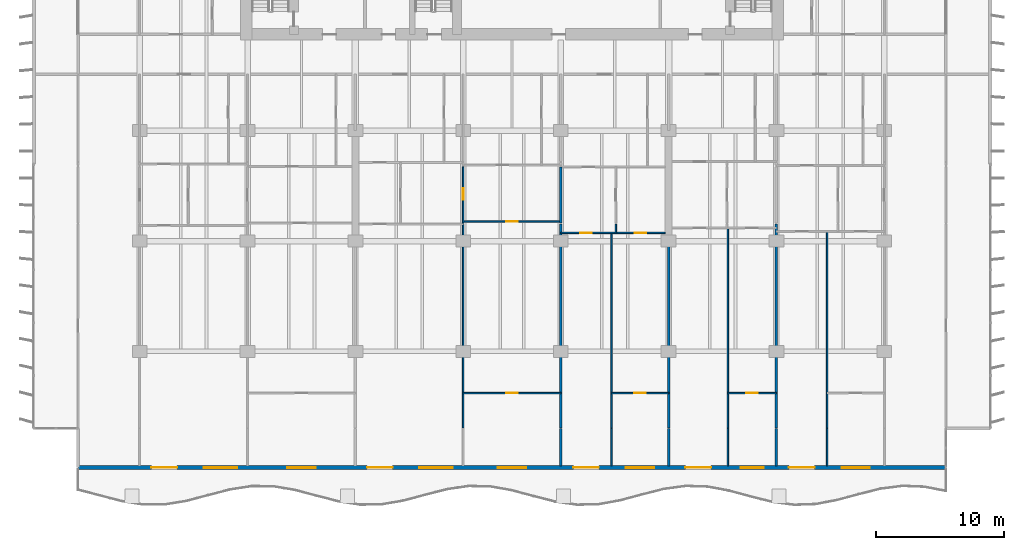
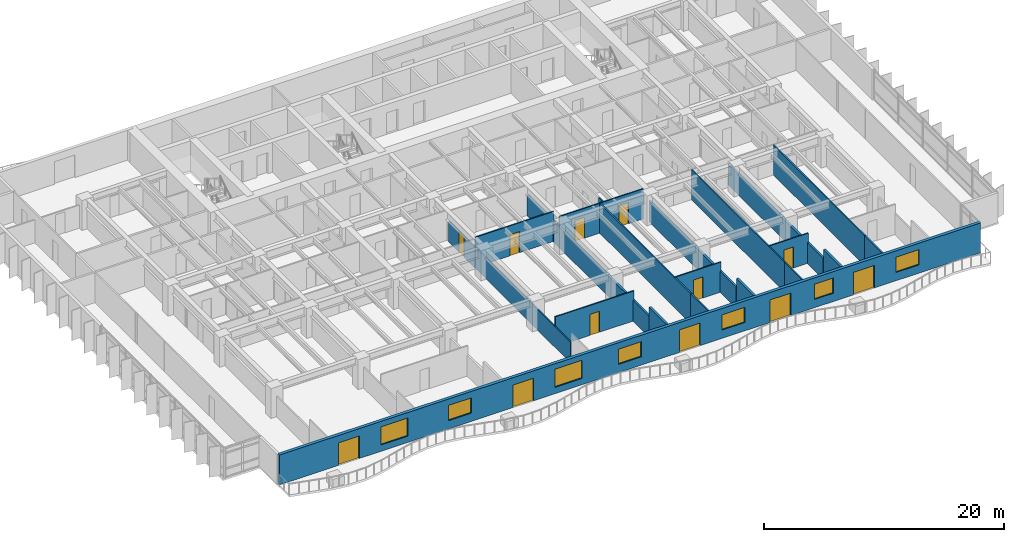
# One storey, part 8 of 17: 22 walls, 12 doors, 7 windows, 19 openings.
"""IFC4 building model written with IfcOpenShell, lengths in metres."""

from ifc_helpers import new_model, si_unit, direction, frame, frame_2d, origin, place, context, subcontext, project, spatial, rectangle, extrude, material, layer, layer_set, type_object, element, fill, save


model = new_model("IFC4")

# Units and contexts
model_context = context("Model", 3, precision=1e-05, world=origin(), true_north=direction((0.0, 1.0)))
body_context = subcontext(model_context, "Body", "Model", "MODEL_VIEW")
ifc_project = project(units=[si_unit("LENGTHUNIT", "METRE"), si_unit("AREAUNIT", "SQUARE_METRE"), si_unit("VOLUMEUNIT", "CUBIC_METRE"), si_unit("PLANEANGLEUNIT", "RADIAN"), si_unit("MASSUNIT", "GRAM", prefix="KILO")], contexts=[model_context])

# Site, building, storey
site_placement = place(None, origin())
site = spatial("IfcSite", under=ifc_project, at=site_placement, CompositionType="ELEMENT")
building_placement = place(site_placement, origin())
building = spatial("IfcBuilding", under=site, at=building_placement, Name="Caelmar Bay Residences", CompositionType="ELEMENT")
storey_placement = place(building_placement, frame((0.0, 0.0, 59.699951171875)))
storey = spatial("IfcBuildingStorey", under=building, at=storey_placement, Name="L15", CompositionType="ELEMENT", Elevation=59.699951171875)

# Wall, openings, doors, windows
ifc_material_1 = material(Name="Precast concrete f'c 40 MPa (6,000 psi)", Category="concrete")
ifc_layer_1 = layer(ifc_material_1, 0.300048828125)
ifc_layer_set_1 = layer_set([ifc_layer_1], Name="Precast concrete f'c 40 MPa (6,000 psi)")
wall_type_1 = type_object("IfcWallType", Name="W-EXT-300", PredefinedType="STANDARD", material=ifc_layer_set_1)
wall_1_placement = place(storey_placement, frame((72.699951171875, 3.14990234375, 0.0), z_axis=(0.0, 0.0, 1.0), x_axis=(-1.0, 0.0, 0.0)))
wall_1 = element("IfcWall", 1, at=wall_1_placement, inside=storey, type_object=wall_type_1, Name="L15 South Bayfront Exterior Wall", PredefinedType="STANDARD", context=body_context, shape_type="SweptSolid", body=[
    extrude(rectangle(XDim=67.599853515625, YDim=0.300048828125, at=frame_2d((33.7998046875, 0.0))), origin(), (0.0, 0.0, 1.0), 3.050048828125),
])
opening_1_placement = place(wall_1_placement, frame((59.889892578125, 0.0, 0.0)))
opening_1 = element("IfcOpeningElement", 2, at=opening_1_placement, cuts=wall_1, Name="Opening L15-BD01", PredefinedType="OPENING", context=body_context, shape_type="SweptSolid", body=[
    extrude(rectangle(XDim=2.0, YDim=2.300048828125, at=frame_2d((1.0, 1.14990234375))), frame((0.0, 0.159912109375, 0.0), z_axis=(0.0, -1.0, 0.0), x_axis=(1.0, 0.0, 0.0)), (0.0, 0.0, 1.0), 0.320068359375),
])
opening_2_placement = place(wall_1_placement, frame((55.2099609375, 0.0, 0.64990234375)))
opening_2 = element("IfcOpeningElement", 3, at=opening_2_placement, cuts=wall_1, Name="Opening WN3", PredefinedType="OPENING", context=body_context, shape_type="SweptSolid", body=[
    extrude(rectangle(XDim=2.60009765625, YDim=1.85009765625, at=frame_2d((1.300048828125, 0.925048828125))), frame((0.0, 0.159912109375, 0.0), z_axis=(0.0, -1.0, 0.0), x_axis=(1.0, 0.0, 0.0)), (0.0, 0.0, 1.0), 0.320068359375),
])
opening_3_placement = place(wall_1_placement, frame((49.10009765625, 0.0, 0.85009765625)))
opening_3 = element("IfcOpeningElement", 4, at=opening_3_placement, cuts=wall_1, Name="Opening WN2", PredefinedType="OPENING", context=body_context, shape_type="SweptSolid", body=[
    extrude(rectangle(XDim=2.199951171875, YDim=1.550048828125, at=frame_2d((1.10009765625, 0.77490234375))), frame((0.0, 0.159912109375, 0.0), z_axis=(0.0, -1.0, 0.0), x_axis=(1.0, 0.0, 0.0)), (0.0, 0.0, 1.0), 0.320068359375),
])
opening_4_placement = place(wall_1_placement, frame((43.090087890625, 0.0, 0.0)))
opening_4 = element("IfcOpeningElement", 5, at=opening_4_placement, cuts=wall_1, Name="Opening L15-BD02", PredefinedType="OPENING", context=body_context, shape_type="SweptSolid", body=[
    extrude(rectangle(XDim=2.0, YDim=2.300048828125, at=frame_2d((1.0, 1.14990234375))), frame((0.0, 0.159912109375, 0.0), z_axis=(0.0, -1.0, 0.0), x_axis=(1.0, 0.0, 0.0)), (0.0, 0.0, 1.0), 0.320068359375),
])
opening_5_placement = place(wall_1_placement, frame((38.409912109375, 0.0, 0.64990234375)))
opening_5 = element("IfcOpeningElement", 6, at=opening_5_placement, cuts=wall_1, Name="Opening WN3", PredefinedType="OPENING", context=body_context, shape_type="SweptSolid", body=[
    extrude(rectangle(XDim=2.60009765625, YDim=1.85009765625, at=frame_2d((1.300048828125, 0.925048828125))), frame((0.0, 0.159912109375, 0.0), z_axis=(0.0, -1.0, 0.0), x_axis=(1.0, 0.0, 0.0)), (0.0, 0.0, 1.0), 0.320068359375),
])
opening_6_placement = place(wall_1_placement, frame((32.699951171875, 0.0, 0.85009765625)))
opening_6 = element("IfcOpeningElement", 7, at=opening_6_placement, cuts=wall_1, Name="Opening WN2", PredefinedType="OPENING", context=body_context, shape_type="SweptSolid", body=[
    extrude(rectangle(XDim=2.199951171875, YDim=1.550048828125, at=frame_2d((1.10009765625, 0.77490234375))), frame((0.0, 0.159912109375, 0.0), z_axis=(0.0, -1.0, 0.0), x_axis=(1.0, 0.0, 0.0)), (0.0, 0.0, 1.0), 0.320068359375),
])
opening_7_placement = place(wall_1_placement, frame((27.02587890625, 0.0, 0.0)))
opening_7 = element("IfcOpeningElement", 8, at=opening_7_placement, cuts=wall_1, Name="Opening L15-BD03", PredefinedType="OPENING", context=body_context, shape_type="SweptSolid", body=[
    extrude(rectangle(XDim=2.0, YDim=2.300048828125, at=frame_2d((1.0, 1.14990234375))), frame((0.0, 0.159912109375, 0.0), z_axis=(0.0, -1.0, 0.0), x_axis=(1.0, 0.0, 0.0)), (0.0, 0.0, 1.0), 0.320068359375),
])
opening_8_placement = place(wall_1_placement, frame((22.72607421875, 0.0, 0.85009765625)))
opening_8 = element("IfcOpeningElement", 9, at=opening_8_placement, cuts=wall_1, Name="Opening WN2", PredefinedType="OPENING", context=body_context, shape_type="SweptSolid", body=[
    extrude(rectangle(XDim=2.199951171875, YDim=1.550048828125, at=frame_2d((1.10009765625, 0.77490234375))), frame((0.0, 0.159912109375, 0.0), z_axis=(0.0, -1.0, 0.0), x_axis=(1.0, 0.0, 0.0)), (0.0, 0.0, 1.0), 0.320068359375),
])
opening_9_placement = place(wall_1_placement, frame((18.2900390625, 0.0, 0.0)))
opening_9 = element("IfcOpeningElement", 10, at=opening_9_placement, cuts=wall_1, Name="Opening L15-BD04", PredefinedType="OPENING", context=body_context, shape_type="SweptSolid", body=[
    extrude(rectangle(XDim=2.0, YDim=2.300048828125, at=frame_2d((1.0, 1.14990234375))), frame((0.0, 0.159912109375, 0.0), z_axis=(0.0, -1.0, 0.0), x_axis=(1.0, 0.0, 0.0)), (0.0, 0.0, 1.0), 0.320068359375),
])
opening_10_placement = place(wall_1_placement, frame((14.18994140625, 0.0, 0.85009765625)))
opening_10 = element("IfcOpeningElement", 11, at=opening_10_placement, cuts=wall_1, Name="Opening WN1", PredefinedType="OPENING", context=body_context, shape_type="SweptSolid", body=[
    extrude(rectangle(XDim=1.800048828125, YDim=1.550048828125, at=frame_2d((0.89990234375, 0.77490234375))), frame((0.0, 0.159912109375, 0.0), z_axis=(0.0, -1.0, 0.0), x_axis=(1.0, 0.0, 0.0)), (0.0, 0.0, 1.0), 0.320068359375),
])
opening_11_placement = place(wall_1_placement, frame((10.22607421875, 0.0, 0.0)))
opening_11 = element("IfcOpeningElement", 12, at=opening_11_placement, cuts=wall_1, Name="Opening L15-BD05", PredefinedType="OPENING", context=body_context, shape_type="SweptSolid", body=[
    extrude(rectangle(XDim=2.0, YDim=2.300048828125, at=frame_2d((1.0, 1.14990234375))), frame((0.0, 0.159912109375, 0.0), z_axis=(0.0, -1.0, 0.0), x_axis=(1.0, 0.0, 0.0)), (0.0, 0.0, 1.0), 0.320068359375),
])
opening_12_placement = place(wall_1_placement, frame((5.926025390625, 0.0, 0.85009765625)))
opening_12 = element("IfcOpeningElement", 13, at=opening_12_placement, cuts=wall_1, Name="Opening WN2", PredefinedType="OPENING", context=body_context, shape_type="SweptSolid", body=[
    extrude(rectangle(XDim=2.199951171875, YDim=1.550048828125, at=frame_2d((1.10009765625, 0.77490234375))), frame((0.0, 0.159912109375, 0.0), z_axis=(0.0, -1.0, 0.0), x_axis=(1.0, 0.0, 0.0)), (0.0, 0.0, 1.0), 0.320068359375),
])
ifc_material_2 = material(Name="Anodised bronze thermally broken sliding glass door", Category="glass")
ifc_layer_2 = layer(ifc_material_2, 0.050048828125)
ifc_layer_set_2 = layer_set([ifc_layer_2], Name="Anodised bronze thermally broken sliding glass door")
door_type_1 = type_object("IfcDoorType", Name="D-BAL-2000", OperationType="DOUBLE_DOOR_SLIDING", PredefinedType="DOOR", material=ifc_layer_set_2)
door_1_placement = place(opening_1_placement, origin())
door_1 = element("IfcDoor", 14, at=door_1_placement, inside=storey, type_object=door_type_1, Name="L15 Residence 01 Penthouse Living Salon Balcony Door", OperationType="DOUBLE_DOOR_SLIDING", OverallHeight=2.300048828125, OverallWidth=2.0, PredefinedType="DOOR", context=body_context, shape_type="SweptSolid", body=[
    extrude(rectangle(XDim=2.0, YDim=2.300048828125, at=frame_2d((1.0, 1.14990234375))), frame((0.0, 0.02490234375, 0.0), z_axis=(0.0, -1.0, 0.0), x_axis=(1.0, 0.0, 0.0)), (0.0, 0.0, 1.0), 0.050048828125),
])
fill(opening_1, door_1)
door_2_placement = place(opening_4_placement, origin())
door_2 = element("IfcDoor", 15, at=door_2_placement, inside=storey, type_object=door_type_1, Name="L15 Residence 02 Penthouse Living Salon Balcony Door", OperationType="DOUBLE_DOOR_SLIDING", OverallHeight=2.300048828125, OverallWidth=2.0, PredefinedType="DOOR", context=body_context, shape_type="SweptSolid", body=[
    extrude(rectangle(XDim=2.0, YDim=2.300048828125, at=frame_2d((1.0, 1.14990234375))), frame((0.0, 0.02490234375, 0.0), z_axis=(0.0, -1.0, 0.0), x_axis=(1.0, 0.0, 0.0)), (0.0, 0.0, 1.0), 0.050048828125),
])
fill(opening_4, door_2)
door_3_placement = place(opening_7_placement, origin())
door_3 = element("IfcDoor", 16, at=door_3_placement, inside=storey, type_object=door_type_1, Name="L15 Residence 03 Living Room Balcony Door", OperationType="DOUBLE_DOOR_SLIDING", OverallHeight=2.300048828125, OverallWidth=2.0, PredefinedType="DOOR", context=body_context, shape_type="SweptSolid", body=[
    extrude(rectangle(XDim=2.0, YDim=2.300048828125, at=frame_2d((1.0, 1.14990234375))), frame((0.0, 0.02490234375, 0.0), z_axis=(0.0, -1.0, 0.0), x_axis=(1.0, 0.0, 0.0)), (0.0, 0.0, 1.0), 0.050048828125),
])
fill(opening_7, door_3)
door_4_placement = place(opening_9_placement, origin())
door_4 = element("IfcDoor", 17, at=door_4_placement, inside=storey, type_object=door_type_1, Name="L15 Residence 04 Penthouse Living Salon Balcony Door", OperationType="DOUBLE_DOOR_SLIDING", OverallHeight=2.300048828125, OverallWidth=2.0, PredefinedType="DOOR", context=body_context, shape_type="SweptSolid", body=[
    extrude(rectangle(XDim=2.0, YDim=2.300048828125, at=frame_2d((1.0, 1.14990234375))), frame((0.0, 0.02490234375, 0.0), z_axis=(0.0, -1.0, 0.0), x_axis=(1.0, 0.0, 0.0)), (0.0, 0.0, 1.0), 0.050048828125),
])
fill(opening_9, door_4)
door_5_placement = place(opening_11_placement, origin())
door_5 = element("IfcDoor", 18, at=door_5_placement, inside=storey, type_object=door_type_1, Name="L15 Residence 05 Living Room Balcony Door", OperationType="DOUBLE_DOOR_SLIDING", OverallHeight=2.300048828125, OverallWidth=2.0, PredefinedType="DOOR", context=body_context, shape_type="SweptSolid", body=[
    extrude(rectangle(XDim=2.0, YDim=2.300048828125, at=frame_2d((1.0, 1.14990234375))), frame((0.0, 0.02490234375, 0.0), z_axis=(0.0, -1.0, 0.0), x_axis=(1.0, 0.0, 0.0)), (0.0, 0.0, 1.0), 0.050048828125),
])
fill(opening_11, door_5)
ifc_material_3 = material(Name="Bronze aluminium frame with laminated low-E glass", Category="aluminium")
ifc_layer_3 = layer(ifc_material_3, 0.06005859375)
ifc_layer_set_3 = layer_set([ifc_layer_3], Name="Bronze aluminium frame with laminated low-E glass")
window_type_1 = type_object("IfcWindowType", Name="WIN-BR-1800", PartitioningType="SINGLE_PANEL", PredefinedType="WINDOW", material=ifc_layer_set_3)
window_1_placement = place(opening_10_placement, origin())
window_1 = element("IfcWindow", 19, at=window_1_placement, inside=storey, type_object=window_type_1, Name="L15 Residence 04 Primary Bedroom Window", OverallHeight=1.550048828125, OverallWidth=1.800048828125, PartitioningType="SINGLE_PANEL", PredefinedType="WINDOW", context=body_context, shape_type="SweptSolid", body=[
    extrude(rectangle(XDim=1.800048828125, YDim=1.550048828125, at=frame_2d((0.89990234375, 0.77490234375))), frame((0.0, 0.030029296875, 0.0), z_axis=(0.0, -1.0, 0.0), x_axis=(1.0, 0.0, 0.0)), (0.0, 0.0, 1.0), 0.06005859375),
])
fill(opening_10, window_1)
ifc_layer_4 = layer(ifc_material_3, 0.06005859375)
ifc_layer_set_4 = layer_set([ifc_layer_4], Name="Bronze aluminium frame with laminated low-E glass")
window_type_2 = type_object("IfcWindowType", Name="WIN-BR-2200", PartitioningType="SINGLE_PANEL", PredefinedType="WINDOW", material=ifc_layer_set_4)
window_2_placement = place(opening_3_placement, origin())
window_2 = element("IfcWindow", 20, at=window_2_placement, inside=storey, type_object=window_type_2, Name="L15 Residence 01 Primary Bedroom 1 Window", OverallHeight=1.550048828125, OverallWidth=2.199951171875, PartitioningType="SINGLE_PANEL", PredefinedType="WINDOW", context=body_context, shape_type="SweptSolid", body=[
    extrude(rectangle(XDim=2.199951171875, YDim=1.550048828125, at=frame_2d((1.10009765625, 0.77490234375))), frame((0.0, 0.030029296875, 0.0), z_axis=(0.0, -1.0, 0.0), x_axis=(1.0, 0.0, 0.0)), (0.0, 0.0, 1.0), 0.06005859375),
])
fill(opening_3, window_2)
window_3_placement = place(opening_6_placement, origin())
window_3 = element("IfcWindow", 21, at=window_3_placement, inside=storey, type_object=window_type_2, Name="L15 Residence 02 Primary Bedroom 1 Window", OverallHeight=1.550048828125, OverallWidth=2.199951171875, PartitioningType="SINGLE_PANEL", PredefinedType="WINDOW", context=body_context, shape_type="SweptSolid", body=[
    extrude(rectangle(XDim=2.199951171875, YDim=1.550048828125, at=frame_2d((1.10009765625, 0.77490234375))), frame((0.0, 0.030029296875, 0.0), z_axis=(0.0, -1.0, 0.0), x_axis=(1.0, 0.0, 0.0)), (0.0, 0.0, 1.0), 0.06005859375),
])
fill(opening_6, window_3)
window_4_placement = place(opening_8_placement, origin())
window_4 = element("IfcWindow", 22, at=window_4_placement, inside=storey, type_object=window_type_2, Name="L15 Residence 03 Primary Bedroom Window", OverallHeight=1.550048828125, OverallWidth=2.199951171875, PartitioningType="SINGLE_PANEL", PredefinedType="WINDOW", context=body_context, shape_type="SweptSolid", body=[
    extrude(rectangle(XDim=2.199951171875, YDim=1.550048828125, at=frame_2d((1.10009765625, 0.77490234375))), frame((0.0, 0.030029296875, 0.0), z_axis=(0.0, -1.0, 0.0), x_axis=(1.0, 0.0, 0.0)), (0.0, 0.0, 1.0), 0.06005859375),
])
fill(opening_8, window_4)
window_5_placement = place(opening_12_placement, origin())
window_5 = element("IfcWindow", 23, at=window_5_placement, inside=storey, type_object=window_type_2, Name="L15 Residence 05 Primary Bedroom Window", OverallHeight=1.550048828125, OverallWidth=2.199951171875, PartitioningType="SINGLE_PANEL", PredefinedType="WINDOW", context=body_context, shape_type="SweptSolid", body=[
    extrude(rectangle(XDim=2.199951171875, YDim=1.550048828125, at=frame_2d((1.10009765625, 0.77490234375))), frame((0.0, 0.030029296875, 0.0), z_axis=(0.0, -1.0, 0.0), x_axis=(1.0, 0.0, 0.0)), (0.0, 0.0, 1.0), 0.06005859375),
])
fill(opening_12, window_5)
ifc_layer_5 = layer(ifc_material_3, 0.06005859375)
ifc_layer_set_5 = layer_set([ifc_layer_5], Name="Bronze aluminium frame with laminated low-E glass")
window_type_3 = type_object("IfcWindowType", Name="WIN-LIV-2600", PartitioningType="SINGLE_PANEL", PredefinedType="WINDOW", material=ifc_layer_set_5)
window_6_placement = place(opening_2_placement, origin())
window_6 = element("IfcWindow", 24, at=window_6_placement, inside=storey, type_object=window_type_3, Name="L15 Residence 01 Penthouse Living Salon Panoramic Window", OverallHeight=1.85009765625, OverallWidth=2.60009765625, PartitioningType="SINGLE_PANEL", PredefinedType="WINDOW", context=body_context, shape_type="SweptSolid", body=[
    extrude(rectangle(XDim=2.60009765625, YDim=1.85009765625, at=frame_2d((1.300048828125, 0.925048828125))), frame((0.0, 0.030029296875, 0.0), z_axis=(0.0, -1.0, 0.0), x_axis=(1.0, 0.0, 0.0)), (0.0, 0.0, 1.0), 0.06005859375),
])
fill(opening_2, window_6)
window_7_placement = place(opening_5_placement, origin())
window_7 = element("IfcWindow", 25, at=window_7_placement, inside=storey, type_object=window_type_3, Name="L15 Residence 02 Penthouse Living Salon Panoramic Window", OverallHeight=1.85009765625, OverallWidth=2.60009765625, PartitioningType="SINGLE_PANEL", PredefinedType="WINDOW", context=body_context, shape_type="SweptSolid", body=[
    extrude(rectangle(XDim=2.60009765625, YDim=1.85009765625, at=frame_2d((1.300048828125, 0.925048828125))), frame((0.0, 0.030029296875, 0.0), z_axis=(0.0, -1.0, 0.0), x_axis=(1.0, 0.0, 0.0)), (0.0, 0.0, 1.0), 0.06005859375),
])
fill(opening_5, window_7)

# Wall
ifc_material_4 = material(Name="Acoustic metal-stud gypsum partition 120 mm")
ifc_layer_6 = layer(ifc_material_4, 0.1201171875)
ifc_layer_set_6 = layer_set([ifc_layer_6], Name="Acoustic metal-stud gypsum partition 120 mm")
wall_type_2 = type_object("IfcWallType", Name="W-PRT-120", PredefinedType="PARTITIONING", material=ifc_layer_set_6)
wall_2_placement = place(storey_placement, frame((35.10009765625, 6.239990234375, 0.0), z_axis=(0.0, 0.0, 1.0), x_axis=(0.0, 1.0, 0.0)))
element("IfcWall", 26, at=wall_2_placement, inside=storey, type_object=wall_type_2, Name="L15 Partition Wall V038", PredefinedType="PARTITIONING", context=body_context, shape_type="SweptSolid", body=[
    extrude(rectangle(XDim=15.880126953125, YDim=0.1201171875, at=frame_2d((7.93994140625, 0.0))), origin(), (0.0, 0.0, 1.0), 2.110107421875),
])

# Wall, opening, door
wall_3_placement = place(storey_placement, frame((35.10009765625, 22.199951171875, 0.0), z_axis=(0.0, 0.0, 1.0), x_axis=(0.0, 1.0, 0.0)))
wall_3 = element("IfcWall", 27, at=wall_3_placement, inside=storey, type_object=wall_type_2, Name="L15 Partition Wall V039", PredefinedType="PARTITIONING", context=body_context, shape_type="SweptSolid", body=[
    extrude(rectangle(XDim=4.380126953125, YDim=0.1201171875, at=frame_2d((2.18994140625, 0.0))), origin(), (0.0, 0.0, 1.0), 2.110107421875),
])
opening_13_placement = place(wall_3_placement, frame((1.800048828125, 0.0, 0.0)))
opening_13 = element("IfcOpeningElement", 28, at=opening_13_placement, cuts=wall_3, Name="Opening D-L15-137", PredefinedType="OPENING", context=body_context, shape_type="SweptSolid", body=[
    extrude(rectangle(XDim=0.89990234375, YDim=2.06005859375, at=frame_2d((0.449951171875, 1.030029296875))), frame((0.0, 0.070068359375, 0.0), z_axis=(0.0, -1.0, 0.0), x_axis=(1.0, 0.0, 0.0)), (0.0, 0.0, 1.0), 0.14013671875),
])
ifc_material_5 = material(Name="Solid walnut timber interior door leaf and frame", Category="wood")
ifc_layer_7 = layer(ifc_material_5, 0.050048828125)
ifc_layer_set_7 = layer_set([ifc_layer_7], Name="Solid walnut timber interior door leaf and frame")
door_type_2 = type_object("IfcDoorType", Name="D-ROOM-900", OperationType="NOTDEFINED", PredefinedType="DOOR", material=ifc_layer_set_7)
door_6_placement = place(opening_13_placement, origin())
door_6 = element("IfcDoor", 29, at=door_6_placement, inside=storey, type_object=door_type_2, Name="L15 Residence 02 Conference Study 1 Door", OperationType="SINGLE_SWING_RIGHT", OverallHeight=2.06005859375, OverallWidth=0.89990234375, PredefinedType="DOOR", context=body_context, shape_type="SweptSolid", body=[
    extrude(rectangle(XDim=0.89990234375, YDim=2.06005859375, at=frame_2d((0.449951171875, 1.030029296875))), frame((0.0, 0.02490234375, 0.0), z_axis=(0.0, -1.0, 0.0), x_axis=(1.0, 0.0, 0.0)), (0.0, 0.0, 1.0), 0.050048828125),
])
fill(opening_13, door_6)

# Walls
wall_4_placement = place(storey_placement, frame((46.64794921875, 3.294921875, 0.0), z_axis=(0.0, 0.0, 1.0), x_axis=(0.0, 1.0, 0.0)))
element("IfcWall", 30, at=wall_4_placement, inside=storey, type_object=wall_type_2, Name="L15 Partition Wall V055", PredefinedType="PARTITIONING", context=body_context, shape_type="SweptSolid", body=[
    extrude(rectangle(XDim=2.905029296875, YDim=0.1201171875, at=frame_2d((1.45263671875, 0.0))), origin(), (0.0, 0.0, 1.0), 3.050048828125),
])
wall_5_placement = place(storey_placement, frame((46.64794921875, 6.239990234375, 0.0), z_axis=(0.0, 0.0, 1.0), x_axis=(0.0, 1.0, 0.0)))
element("IfcWall", 31, at=wall_5_placement, inside=storey, type_object=wall_type_2, Name="L15 Partition Wall V056", PredefinedType="PARTITIONING", context=body_context, shape_type="SweptSolid", body=[
    extrude(rectangle(XDim=15.18994140625, YDim=0.1201171875, at=frame_2d((7.594970703125, 0.0))), origin(), (0.0, 0.0, 1.0), 3.050048828125),
])
wall_6_placement = place(storey_placement, frame((46.986083984375, 21.429931640625, 0.0), z_axis=(0.0, 0.0, 1.0), x_axis=(0.0, 1.0, 0.0)))
element("IfcWall", 32, at=wall_6_placement, inside=storey, type_object=wall_type_2, Name="L15 Partition Wall V057", PredefinedType="PARTITIONING", context=body_context, shape_type="SweptSolid", body=[
    extrude(rectangle(XDim=0.690185546875, YDim=0.1201171875, at=frame_2d((0.34521484375, 0.0))), origin(), (0.0, 0.0, 1.0), 3.050048828125),
])
wall_7_placement = place(storey_placement, frame((55.719970703125, 3.294921875, 0.0), z_axis=(0.0, 0.0, 1.0), x_axis=(0.0, 1.0, 0.0)))
element("IfcWall", 33, at=wall_7_placement, inside=storey, type_object=wall_type_2, Name="L15 Partition Wall V072", PredefinedType="PARTITIONING", context=body_context, shape_type="SweptSolid", body=[
    extrude(rectangle(XDim=2.905029296875, YDim=0.1201171875, at=frame_2d((1.45263671875, 0.0))), origin(), (0.0, 0.0, 1.0), 3.050048828125),
])
wall_8_placement = place(storey_placement, frame((55.719970703125, 6.239990234375, 0.0), z_axis=(0.0, 0.0, 1.0), x_axis=(0.0, 1.0, 0.0)))
element("IfcWall", 34, at=wall_8_placement, inside=storey, type_object=wall_type_2, Name="L15 Partition Wall V073", PredefinedType="PARTITIONING", context=body_context, shape_type="SweptSolid", body=[
    extrude(rectangle(XDim=15.5849609375, YDim=0.1201171875, at=frame_2d((7.79248046875, 0.0))), origin(), (0.0, 0.0, 1.0), 3.050048828125),
])
wall_9_placement = place(storey_placement, frame((63.447998046875, 3.294921875, 0.0), z_axis=(0.0, 0.0, 1.0), x_axis=(0.0, 1.0, 0.0)))
element("IfcWall", 35, at=wall_9_placement, inside=storey, type_object=wall_type_2, Name="L15 Partition Wall V082", PredefinedType="PARTITIONING", context=body_context, shape_type="SweptSolid", body=[
    extrude(rectangle(XDim=2.905029296875, YDim=0.1201171875, at=frame_2d((1.45263671875, 0.0))), origin(), (0.0, 0.0, 1.0), 3.050048828125),
])
wall_10_placement = place(storey_placement, frame((63.447998046875, 6.239990234375, 0.0), z_axis=(0.0, 0.0, 1.0), x_axis=(0.0, 1.0, 0.0)))
element("IfcWall", 36, at=wall_10_placement, inside=storey, type_object=wall_type_2, Name="L15 Partition Wall V083", PredefinedType="PARTITIONING", context=body_context, shape_type="SweptSolid", body=[
    extrude(rectangle(XDim=15.2900390625, YDim=0.1201171875, at=frame_2d((7.64501953125, 0.0))), origin(), (0.0, 0.0, 1.0), 3.050048828125),
])

# Wall, opening, door
wall_11_placement = place(storey_placement, frame((35.10009765625, 8.949951171875, 0.0), z_axis=(0.0, 0.0, 1.0), x_axis=(1.0, 0.0, 0.0)))
wall_11 = element("IfcWall", 37, at=wall_11_placement, inside=storey, type_object=wall_type_2, Name="L15 Partition Wall H101", PredefinedType="PARTITIONING", context=body_context, shape_type="SweptSolid", body=[
    extrude(rectangle(XDim=7.599853515625, YDim=0.1201171875, at=frame_2d((3.7998046875, 0.0))), origin(), (0.0, 0.0, 1.0), 3.050048828125),
])
opening_14_placement = place(wall_11_placement, frame((3.35009765625, 0.0, 0.0)))
opening_14 = element("IfcOpeningElement", 38, at=opening_14_placement, cuts=wall_11, Name="Opening D-L15-141", PredefinedType="OPENING", context=body_context, shape_type="SweptSolid", body=[
    extrude(rectangle(XDim=0.89990234375, YDim=2.14990234375, at=frame_2d((0.449951171875, 1.074951171875))), frame((0.0, 0.070068359375, 0.0), z_axis=(0.0, -1.0, 0.0), x_axis=(1.0, 0.0, 0.0)), (0.0, 0.0, 1.0), 0.14013671875),
])
door_7_placement = place(opening_14_placement, origin())
door_7 = element("IfcDoor", 39, at=door_7_placement, inside=storey, type_object=door_type_2, Name="L15 Residence 02 Primary Bedroom 1 Door", OperationType="SINGLE_SWING_RIGHT", OverallHeight=2.14990234375, OverallWidth=0.89990234375, PredefinedType="DOOR", context=body_context, shape_type="SweptSolid", body=[
    extrude(rectangle(XDim=0.89990234375, YDim=2.14990234375, at=frame_2d((0.449951171875, 1.074951171875))), frame((0.0, 0.02490234375, 0.0), z_axis=(0.0, -1.0, 0.0), x_axis=(1.0, 0.0, 0.0)), (0.0, 0.0, 1.0), 0.050048828125),
])
fill(opening_14, door_7)

wall_12_placement = place(storey_placement, frame((46.64794921875, 8.949951171875, 0.0), z_axis=(0.0, 0.0, 1.0), x_axis=(1.0, 0.0, 0.0)))
wall_12 = element("IfcWall", 40, at=wall_12_placement, inside=storey, type_object=wall_type_2, Name="L15 Partition Wall H102", PredefinedType="PARTITIONING", context=body_context, shape_type="SweptSolid", body=[
    extrude(rectangle(XDim=4.4521484375, YDim=0.1201171875, at=frame_2d((2.22607421875, 0.0))), origin(), (0.0, 0.0, 1.0), 3.050048828125),
])
opening_15_placement = place(wall_12_placement, frame((1.77587890625, 0.0, 0.0)))
opening_15 = element("IfcOpeningElement", 41, at=opening_15_placement, cuts=wall_12, Name="Opening D-L15-148", PredefinedType="OPENING", context=body_context, shape_type="SweptSolid", body=[
    extrude(rectangle(XDim=0.89990234375, YDim=2.14990234375, at=frame_2d((0.449951171875, 1.074951171875))), frame((0.0, 0.070068359375, 0.0), z_axis=(0.0, -1.0, 0.0), x_axis=(1.0, 0.0, 0.0)), (0.0, 0.0, 1.0), 0.14013671875),
])
door_8_placement = place(opening_15_placement, origin())
door_8 = element("IfcDoor", 42, at=door_8_placement, inside=storey, type_object=door_type_2, Name="L15 Residence 03 Primary Bedroom Door", OperationType="SINGLE_SWING_LEFT", OverallHeight=2.14990234375, OverallWidth=0.89990234375, PredefinedType="DOOR", context=body_context, shape_type="SweptSolid", body=[
    extrude(rectangle(XDim=0.89990234375, YDim=2.14990234375, at=frame_2d((0.449951171875, 1.074951171875))), frame((0.0, 0.02490234375, 0.0), z_axis=(0.0, -1.0, 0.0), x_axis=(1.0, 0.0, 0.0)), (0.0, 0.0, 1.0), 0.050048828125),
])
fill(opening_15, door_8)

wall_13_placement = place(storey_placement, frame((55.719970703125, 8.949951171875, 0.0), z_axis=(0.0, 0.0, 1.0), x_axis=(1.0, 0.0, 0.0)))
wall_13 = element("IfcWall", 43, at=wall_13_placement, inside=storey, type_object=wall_type_2, Name="L15 Partition Wall H103", PredefinedType="PARTITIONING", context=body_context, shape_type="SweptSolid", body=[
    extrude(rectangle(XDim=3.780029296875, YDim=0.1201171875, at=frame_2d((1.89013671875, 0.0))), origin(), (0.0, 0.0, 1.0), 3.050048828125),
])
opening_16_placement = place(wall_13_placement, frame((1.43994140625, 0.0, 0.0)))
opening_16 = element("IfcOpeningElement", 44, at=opening_16_placement, cuts=wall_13, Name="Opening D-L15-155", PredefinedType="OPENING", context=body_context, shape_type="SweptSolid", body=[
    extrude(rectangle(XDim=0.89990234375, YDim=2.14990234375, at=frame_2d((0.449951171875, 1.074951171875))), frame((0.0, 0.070068359375, 0.0), z_axis=(0.0, -1.0, 0.0), x_axis=(1.0, 0.0, 0.0)), (0.0, 0.0, 1.0), 0.14013671875),
])
door_9_placement = place(opening_16_placement, origin())
door_9 = element("IfcDoor", 45, at=door_9_placement, inside=storey, type_object=door_type_2, Name="L15 Residence 04 Primary Bedroom Door", OperationType="SINGLE_SWING_RIGHT", OverallHeight=2.14990234375, OverallWidth=0.89990234375, PredefinedType="DOOR", context=body_context, shape_type="SweptSolid", body=[
    extrude(rectangle(XDim=0.89990234375, YDim=2.14990234375, at=frame_2d((0.449951171875, 1.074951171875))), frame((0.0, 0.02490234375, 0.0), z_axis=(0.0, -1.0, 0.0), x_axis=(1.0, 0.0, 0.0)), (0.0, 0.0, 1.0), 0.050048828125),
])
fill(opening_16, door_9)

# Wall, openings, doors
wall_14_placement = place(storey_placement, frame((42.699951171875, 21.429931640625, 0.0), z_axis=(0.0, 0.0, 1.0), x_axis=(1.0, 0.0, 0.0)))
wall_14 = element("IfcWall", 46, at=wall_14_placement, inside=storey, type_object=wall_type_2, Name="L15 Partition Wall H105", PredefinedType="PARTITIONING", context=body_context, shape_type="SweptSolid", body=[
    extrude(rectangle(XDim=8.130126953125, YDim=0.1201171875, at=frame_2d((4.06494140625, 0.0))), origin(), (0.0, 0.0, 1.0), 3.050048828125),
])
opening_17_placement = place(wall_14_placement, frame((1.52392578125, 0.0, 0.0)))
opening_17 = element("IfcOpeningElement", 47, at=opening_17_placement, cuts=wall_14, Name="Opening D-L15-146", PredefinedType="OPENING", context=body_context, shape_type="SweptSolid", body=[
    extrude(rectangle(XDim=0.89990234375, YDim=2.14990234375, at=frame_2d((0.449951171875, 1.074951171875))), frame((0.0, 0.070068359375, 0.0), z_axis=(0.0, -1.0, 0.0), x_axis=(1.0, 0.0, 0.0)), (0.0, 0.0, 1.0), 0.14013671875),
])
opening_18_placement = place(wall_14_placement, frame((5.758056640625, 0.0, 0.0)))
opening_18 = element("IfcOpeningElement", 48, at=opening_18_placement, cuts=wall_14, Name="Opening D-L15-147", PredefinedType="OPENING", context=body_context, shape_type="SweptSolid", body=[
    extrude(rectangle(XDim=0.89990234375, YDim=2.14990234375, at=frame_2d((0.449951171875, 1.074951171875))), frame((0.0, 0.070068359375, 0.0), z_axis=(0.0, -1.0, 0.0), x_axis=(1.0, 0.0, 0.0)), (0.0, 0.0, 1.0), 0.14013671875),
])
door_10_placement = place(opening_17_placement, origin())
door_10 = element("IfcDoor", 49, at=door_10_placement, inside=storey, type_object=door_type_2, Name="L15 Residence 03 Living Room Door", OperationType="SINGLE_SWING_LEFT", OverallHeight=2.14990234375, OverallWidth=0.89990234375, PredefinedType="DOOR", context=body_context, shape_type="SweptSolid", body=[
    extrude(rectangle(XDim=0.89990234375, YDim=2.14990234375, at=frame_2d((0.449951171875, 1.074951171875))), frame((0.0, 0.02490234375, 0.0), z_axis=(0.0, -1.0, 0.0), x_axis=(1.0, 0.0, 0.0)), (0.0, 0.0, 1.0), 0.050048828125),
])
fill(opening_17, door_10)
door_11_placement = place(opening_18_placement, origin())
door_11 = element("IfcDoor", 50, at=door_11_placement, inside=storey, type_object=door_type_2, Name="L15 Residence 03 Penthouse Sitting Room Door", OperationType="SINGLE_SWING_RIGHT", OverallHeight=2.14990234375, OverallWidth=0.89990234375, PredefinedType="DOOR", context=body_context, shape_type="SweptSolid", body=[
    extrude(rectangle(XDim=0.89990234375, YDim=2.14990234375, at=frame_2d((0.449951171875, 1.074951171875))), frame((0.0, 0.02490234375, 0.0), z_axis=(0.0, -1.0, 0.0), x_axis=(1.0, 0.0, 0.0)), (0.0, 0.0, 1.0), 0.050048828125),
])
fill(opening_18, door_11)

# Wall, opening, door
wall_15_placement = place(storey_placement, frame((35.10498046875, 22.320068359375, 0.0), z_axis=(0.0, 0.0, 1.0), x_axis=(1.0, 0.0, 0.0)))
wall_15 = element("IfcWall", 51, at=wall_15_placement, inside=storey, type_object=wall_type_2, Name="L15 Partition Wall H111", PredefinedType="PARTITIONING", context=body_context, shape_type="SweptSolid", body=[
    extrude(rectangle(XDim=7.594970703125, YDim=0.1201171875, at=frame_2d((3.79736328125, 0.0))), origin(), (0.0, 0.0, 1.0), 3.050048828125),
])
opening_19_placement = place(wall_15_placement, frame((3.347412109375, 0.0, 0.0)))
opening_19 = element("IfcOpeningElement", 52, at=opening_19_placement, cuts=wall_15, Name="Opening D-L15-140", PredefinedType="OPENING", context=body_context, shape_type="SweptSolid", body=[
    extrude(rectangle(XDim=0.89990234375, YDim=2.14990234375, at=frame_2d((0.449951171875, 1.074951171875))), frame((0.0, 0.070068359375, 0.0), z_axis=(0.0, -1.0, 0.0), x_axis=(1.0, 0.0, 0.0)), (0.0, 0.0, 1.0), 0.14013671875),
])
door_12_placement = place(opening_19_placement, origin())
door_12 = element("IfcDoor", 53, at=door_12_placement, inside=storey, type_object=door_type_2, Name="L15 Residence 02 Penthouse Sitting Salon 1 Door", OperationType="SINGLE_SWING_LEFT", OverallHeight=2.14990234375, OverallWidth=0.89990234375, PredefinedType="DOOR", context=body_context, shape_type="SweptSolid", body=[
    extrude(rectangle(XDim=0.89990234375, YDim=2.14990234375, at=frame_2d((0.449951171875, 1.074951171875))), frame((0.0, 0.02490234375, 0.0), z_axis=(0.0, -1.0, 0.0), x_axis=(1.0, 0.0, 0.0)), (0.0, 0.0, 1.0), 0.050048828125),
])
fill(opening_19, door_12)

# Walls
ifc_material_6 = material(Name="Acoustic twin-stud fire-rated inter-tenancy partition 200 mm")
ifc_layer_8 = layer(ifc_material_6, 0.199951171875)
ifc_layer_set_8 = layer_set([ifc_layer_8], Name="Acoustic twin-stud fire-rated inter-tenancy partition 200 mm")
wall_type_3 = type_object("IfcWallType", Name="W-PTY-200", PredefinedType="PARTITIONING", material=ifc_layer_set_8)
wall_16_placement = place(storey_placement, frame((42.699951171875, 3.294921875, 0.0), z_axis=(0.0, 0.0, 1.0), x_axis=(0.0, 1.0, 0.0)))
element("IfcWall", 54, at=wall_16_placement, inside=storey, type_object=wall_type_3, Name="L15 Partition Wall V047", PredefinedType="PARTITIONING", context=body_context, shape_type="SweptSolid", body=[
    extrude(rectangle(XDim=2.905029296875, YDim=0.199951171875, at=frame_2d((1.45263671875, 0.0))), origin(), (0.0, 0.0, 1.0), 3.050048828125),
])
wall_17_placement = place(storey_placement, frame((42.699951171875, 6.239990234375, 0.0), z_axis=(0.0, 0.0, 1.0), x_axis=(0.0, 1.0, 0.0)))
element("IfcWall", 55, at=wall_17_placement, inside=storey, type_object=wall_type_3, Name="L15 Partition Wall V048", PredefinedType="PARTITIONING", context=body_context, shape_type="SweptSolid", body=[
    extrude(rectangle(XDim=15.880126953125, YDim=0.199951171875, at=frame_2d((7.93994140625, 0.0))), origin(), (0.0, 0.0, 1.0), 2.110107421875),
])
wall_18_placement = place(storey_placement, frame((42.699951171875, 22.199951171875, 0.0), z_axis=(0.0, 0.0, 1.0), x_axis=(0.0, 1.0, 0.0)))
element("IfcWall", 56, at=wall_18_placement, inside=storey, type_object=wall_type_3, Name="L15 Partition Wall V049", PredefinedType="PARTITIONING", context=body_context, shape_type="SweptSolid", body=[
    extrude(rectangle(XDim=4.380126953125, YDim=0.199951171875, at=frame_2d((2.18994140625, 0.0))), origin(), (0.0, 0.0, 1.0), 2.110107421875),
])
wall_19_placement = place(storey_placement, frame((51.10009765625, 3.294921875, 0.0), z_axis=(0.0, 0.0, 1.0), x_axis=(0.0, 1.0, 0.0)))
element("IfcWall", 57, at=wall_19_placement, inside=storey, type_object=wall_type_3, Name="L15 Partition Wall V065", PredefinedType="PARTITIONING", context=body_context, shape_type="SweptSolid", body=[
    extrude(rectangle(XDim=2.905029296875, YDim=0.199951171875, at=frame_2d((1.45263671875, 0.0))), origin(), (0.0, 0.0, 1.0), 3.050048828125),
])
wall_20_placement = place(storey_placement, frame((51.10009765625, 6.239990234375, 0.0), z_axis=(0.0, 0.0, 1.0), x_axis=(0.0, 1.0, 0.0)))
element("IfcWall", 58, at=wall_20_placement, inside=storey, type_object=wall_type_3, Name="L15 Partition Wall V066", PredefinedType="PARTITIONING", context=body_context, shape_type="SweptSolid", body=[
    extrude(rectangle(XDim=14.554931640625, YDim=0.199951171875, at=frame_2d((7.27734375, 0.0))), origin(), (0.0, 0.0, 1.0), 2.110107421875),
])
wall_21_placement = place(storey_placement, frame((59.5, 3.294921875, 0.0), z_axis=(0.0, 0.0, 1.0), x_axis=(0.0, 1.0, 0.0)))
element("IfcWall", 59, at=wall_21_placement, inside=storey, type_object=wall_type_3, Name="L15 Partition Wall V076", PredefinedType="PARTITIONING", context=body_context, shape_type="SweptSolid", body=[
    extrude(rectangle(XDim=2.905029296875, YDim=0.199951171875, at=frame_2d((1.45263671875, 0.0))), origin(), (0.0, 0.0, 1.0), 3.050048828125),
])
wall_22_placement = place(storey_placement, frame((59.5, 6.239990234375, 0.0), z_axis=(0.0, 0.0, 1.0), x_axis=(0.0, 1.0, 0.0)))
element("IfcWall", 60, at=wall_22_placement, inside=storey, type_object=wall_type_3, Name="L15 Partition Wall V077", PredefinedType="PARTITIONING", context=body_context, shape_type="SweptSolid", body=[
    extrude(rectangle(XDim=15.880126953125, YDim=0.199951171875, at=frame_2d((7.93994140625, 0.0))), origin(), (0.0, 0.0, 1.0), 2.110107421875),
])

save(model, "model.ifc")
